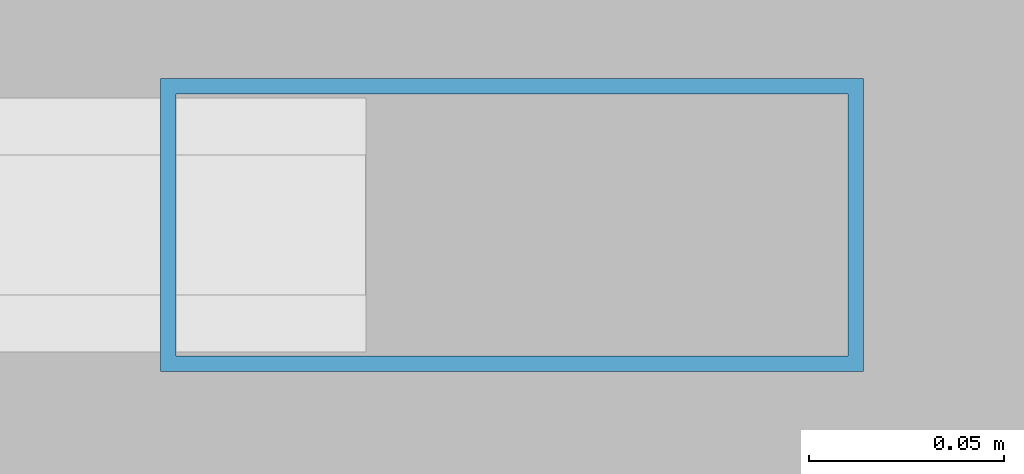
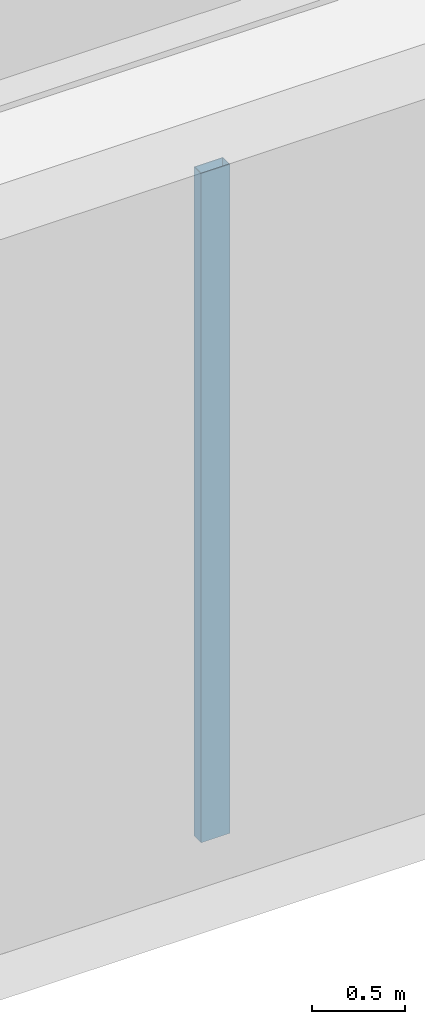
# One storey, part 8 of 35: 1 member, 1 element without a shape of its own.
"""IFC4 building model written with IfcOpenShell, lengths in metres."""

from ifc_helpers import new_model, si_unit, direction, frame, origin, origin_2d, place, context, subcontext, project, spatial, hollow_rectangle, extrude, material, layer, layer_set, material_profile, profile_set, type_object, element, aggregate, save


model = new_model("IFC4")

# Units and contexts
model_context = context("Model", 3, precision=1e-05, world=origin(), true_north=direction((0.0, 1.0)))
body_context = subcontext(model_context, "Body", "Model", "MODEL_VIEW")
ifc_project = project(units=[si_unit("LENGTHUNIT", "METRE"), si_unit("AREAUNIT", "SQUARE_METRE"), si_unit("VOLUMEUNIT", "CUBIC_METRE"), si_unit("PLANEANGLEUNIT", "RADIAN"), si_unit("MASSUNIT", "GRAM", prefix="KILO")], contexts=[model_context])

# Site, building, storey
site_placement = place(None, origin())
site = spatial("IfcSite", under=ifc_project, at=site_placement, CompositionType="ELEMENT")
building_placement = place(site_placement, origin())
building = spatial("IfcBuilding", under=site, at=building_placement, Name="Qiaolan Cultural Towers", CompositionType="ELEMENT")
storey_placement = place(building_placement, frame((0.0, 0.0, 11.5)))
storey = spatial("IfcBuildingStorey", under=building, at=storey_placement, Name="L02", CompositionType="ELEMENT", Elevation=11.5)

# Curtain wall, member
ifc_material_1 = material(Name="Unitized Anodized Aluminium Curtain Wall System", Category="aluminium")
ifc_layer = layer(ifc_material_1, 0.199951171875)
ifc_layer_set = layer_set([ifc_layer], Name="Unitized Anodized Aluminium Curtain Wall System")
curtain_wall_type = type_object("IfcCurtainWallType", Name="CWS-01", PredefinedType="NOTDEFINED", material=ifc_layer_set)
curtain_wall_placement = place(storey_placement, origin())
curtain_wall = element("IfcCurtainWall", 1, at=curtain_wall_placement, inside=storey, type_object=curtain_wall_type, Name="L02 South Atrium Curtain Wall", PredefinedType="NOTDEFINED")
ifc_material_2 = material(Name="Extruded Aluminium 6063-T6", Category="aluminium")
ifc_material_profile = material_profile(ifc_material_2, hollow_rectangle(XDim=0.074951171875, YDim=0.179931640625, WallThickness=0.00390625, at=origin_2d()), Name="CWM-180x75x4")
ifc_profile_set = profile_set([ifc_material_profile], Name="Extruded Aluminium 6063-T6")
member_type = type_object("IfcMemberType", Name="CWS-01-MUL", PredefinedType="MULLION", material=ifc_profile_set)
member_placement = place(storey_placement, frame((61.96240234375, 0.219970703125, 0.14990234375), z_axis=(0.0, 0.0, 1.0), x_axis=(0.0, 1.0, 0.0)))
member = element("IfcMember", 2, at=member_placement, type_object=member_type, Name="CW-1 mullion 5", PredefinedType="MULLION", context=body_context, shape_type="SweptSolid", body=[
    extrude(hollow_rectangle(XDim=0.074951171875, YDim=0.179931640625, WallThickness=0.00390625, at=origin_2d()), origin(), (0.0, 0.0, 1.0), 4.400146484375),
])
aggregate(curtain_wall, [member])

save(model, "model.ifc")
